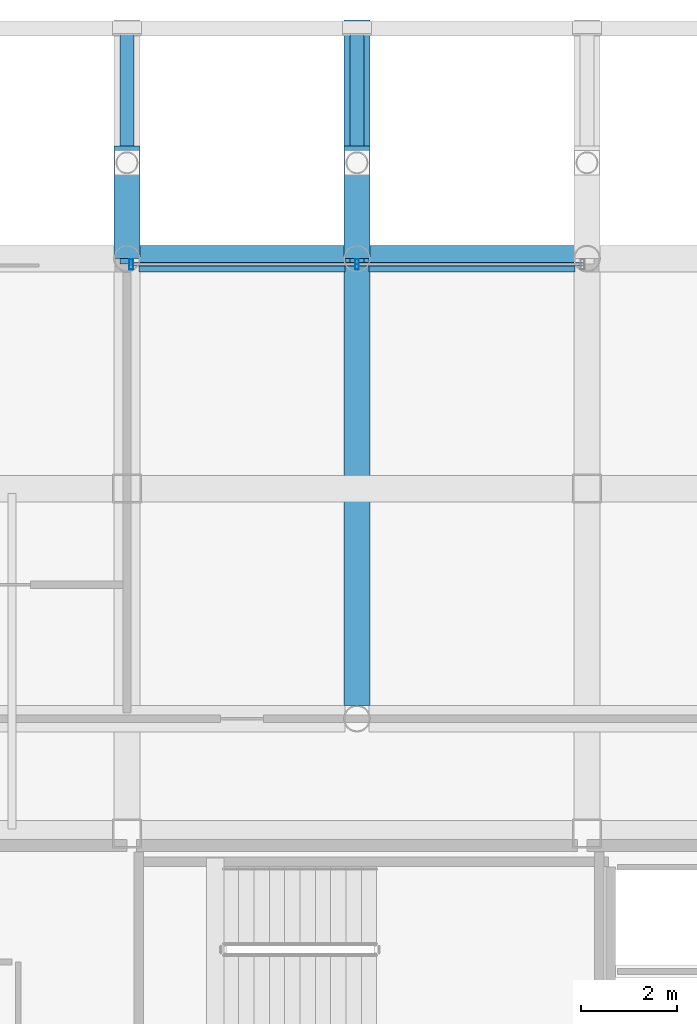
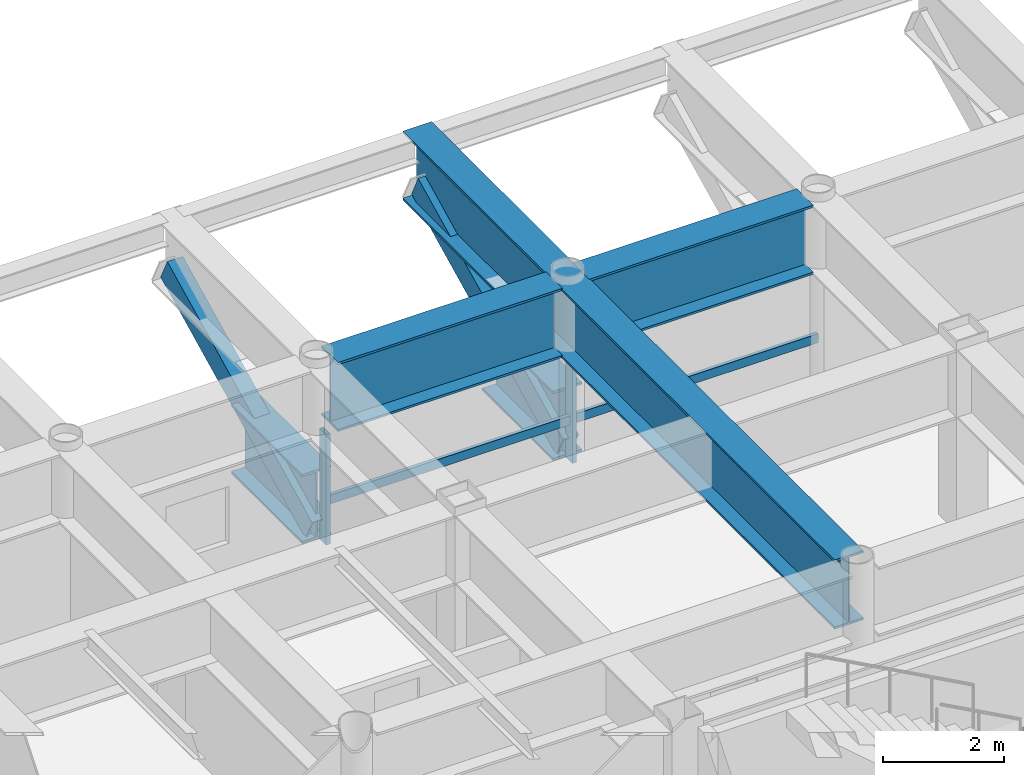
# One storey, part 14 of 24: 6 members, 5 beams, 1 element without a shape of its own.
"""IFC4 building model written with IfcOpenShell, lengths in metres."""

from ifc_helpers import new_model, si_unit, direction, frame, origin, origin_2d, place, context, subcontext, project, spatial, hollow_rectangle, i_section, extrude, material, layer, layer_set, material_profile, profile_set, type_object, element, aggregate, save


model = new_model("IFC4")

# Units and contexts
model_context = context("Model", 3, precision=1e-05, world=origin(), true_north=direction((0.0, 1.0)))
body_context = subcontext(model_context, "Body", "Model", "MODEL_VIEW")
ifc_project = project(units=[si_unit("LENGTHUNIT", "METRE"), si_unit("AREAUNIT", "SQUARE_METRE"), si_unit("VOLUMEUNIT", "CUBIC_METRE"), si_unit("PLANEANGLEUNIT", "RADIAN"), si_unit("MASSUNIT", "GRAM", prefix="KILO")], contexts=[model_context])

# Site, building, storey
site_placement = place(None, origin())
site = spatial("IfcSite", under=ifc_project, at=site_placement, CompositionType="ELEMENT")
building_placement = place(site_placement, origin())
building = spatial("IfcBuilding", under=site, at=building_placement, Name="Kallvorn Hotel Tower", CompositionType="ELEMENT")
storey_placement = place(building_placement, frame((0.0, 0.0, 218.449951171875)))
storey = spatial("IfcBuildingStorey", under=building, at=storey_placement, Name="L54", CompositionType="ELEMENT", Elevation=218.449951171875)

# Beams
ifc_material_1 = material(Name="Structural steel S355JR", Category="steel")
ifc_material_profile_1 = material_profile(ifc_material_1, i_section(OverallWidth=0.550048828125, OverallDepth=1.39990234375, WebThickness=0.02490234375, FlangeThickness=0.044921875, at=origin_2d()), Name="PG 1400x550x25x45")
ifc_profile_set_1 = profile_set([ifc_material_profile_1], Name="Structural steel S355JR")
beam_type = type_object("IfcBeamType", Name="BM_PG_1400", PredefinedType="BEAM", material=ifc_profile_set_1)
beam_1_placement = place(storey_placement, frame((-4.800048828125, 19.199951171875, 0.719970703125), z_axis=(0.0, 1.0, 0.0), x_axis=(-1.0, 0.0, 0.0)))
element("IfcBeam", 1, at=beam_1_placement, inside=storey, type_object=beam_type, Name="L55 Cantilever Haunch Corbel 05", PredefinedType="BEAM", context=body_context, shape_type="SweptSolid", body=[
    extrude(i_section(OverallWidth=0.550048828125, OverallDepth=1.39990234375, WebThickness=0.02490234375, FlangeThickness=0.044921875, at=origin_2d()), origin(), (0.0, 0.0, 1.0), 2.35009765625),
])
beam_2_placement = place(storey_placement, frame((0.0, 9.869384765625, 2.969970703125), z_axis=(0.0, 1.0, 0.0), x_axis=(-1.0, 0.0, 0.0)))
element("IfcBeam", 2, at=beam_2_placement, inside=storey, type_object=beam_type, Name="L55 Continuous Cantilever Transfer Girder 06", PredefinedType="BEAM", context=body_context, shape_type="SweptSolid", body=[
    extrude(i_section(OverallWidth=0.550048828125, OverallDepth=1.39990234375, WebThickness=0.02490234375, FlangeThickness=0.044921875, at=origin_2d()), origin(), (0.0, 0.0, 1.0), 14.310546875),
])
beam_3_placement = place(storey_placement, frame((0.0, 19.199951171875, 0.719970703125), z_axis=(0.0, 1.0, 0.0), x_axis=(-1.0, 0.0, 0.0)))
element("IfcBeam", 3, at=beam_3_placement, inside=storey, type_object=beam_type, Name="L55 Cantilever Haunch Corbel 06", PredefinedType="BEAM", context=body_context, shape_type="SweptSolid", body=[
    extrude(i_section(OverallWidth=0.550048828125, OverallDepth=1.39990234375, WebThickness=0.02490234375, FlangeThickness=0.044921875, at=origin_2d()), origin(), (0.0, 0.0, 1.0), 2.35009765625),
])
for number, where, z_axis, x_axis, name in (
    (4, (-4.54541015625, 19.199951171875, 2.969970703125), (1.0, 0.0, 0.0), (0.0, 1.0, 0.0), "L55 Primary X-Girder 79"),
    (5, (0.25439453125, 19.199951171875, 2.969970703125), (1.0, 0.0, 0.0), (0.0, 1.0, 0.0), "L55 Primary X-Girder 80"),
):
    element("IfcBeam", number, at=place(storey_placement, frame(where, z_axis=z_axis, x_axis=x_axis)), inside=storey, type_object=beam_type, Name=name, PredefinedType="BEAM", context=body_context, shape_type="SweptSolid", body=[
        extrude(i_section(OverallWidth=0.550048828125, OverallDepth=1.39990234375, WebThickness=0.02490234375, FlangeThickness=0.044921875, at=origin_2d()), origin(), (0.0, 0.0, 1.0), 4.291015625),
    ])

# Curtain wall, members
ifc_material_2 = material(Name="Thermally broken black-anodised aluminium AA 6063-T6", Category="aluminium")
ifc_layer = layer(ifc_material_2, 0.22998046875)
ifc_layer_set = layer_set([ifc_layer], Name="CW_SYS_5_HOTEL_HIGH")
curtain_wall_type = type_object("IfcCurtainWallType", Name="CW_SYS_5_HOTEL_HIGH", PredefinedType="USERDEFINED", material=ifc_layer_set)
curtain_wall_placement = place(storey_placement, origin())
curtain_wall = element("IfcCurtainWall", 6, at=curtain_wall_placement, inside=storey, type_object=curtain_wall_type, Name="L54 Dark-Glass Curtain Wall CW-L54-NC", ObjectType="UNITISED CURTAIN WALL", PredefinedType="USERDEFINED")
ifc_material_3 = material(Name="Thermally broken black-anodised aluminium AA 6063-T6", Category="aluminium")
ifc_material_profile_2 = material_profile(ifc_material_3, hollow_rectangle(XDim=0.080078125, YDim=0.219970703125, WallThickness=0.0048828125, at=origin_2d()), Name="MUL 220x80")
ifc_profile_set_2 = profile_set([ifc_material_profile_2], Name="Thermally broken black-anodised aluminium AA 6063-T6")
member_type_1 = type_object("IfcMemberType", Name="CW_MULLION_220x80", PredefinedType="MULLION", material=ifc_profile_set_2)
member_1_placement = place(storey_placement, frame((-4.7099609375, 19.080078125, 0.02001953125), z_axis=(0.0, 0.0, 1.0), x_axis=(1.0, 0.0, 0.0)))
member_1 = element("IfcMember", 7, at=member_1_placement, type_object=member_type_1, Name="CW-L54-NC Mullion 00", PredefinedType="MULLION", context=body_context, shape_type="SweptSolid", body=[
    extrude(hollow_rectangle(XDim=0.080078125, YDim=0.219970703125, WallThickness=0.0048828125, at=origin_2d()), origin(), (0.0, 0.0, 1.0), 2.22998046875),
])
member_2_placement = place(storey_placement, frame((0.0, 19.080078125, 0.02001953125), z_axis=(0.0, 0.0, 1.0), x_axis=(1.0, 0.0, 0.0)))
member_2 = element("IfcMember", 8, at=member_2_placement, type_object=member_type_1, Name="CW-L54-NC Mullion 01", PredefinedType="MULLION", context=body_context, shape_type="SweptSolid", body=[
    extrude(hollow_rectangle(XDim=0.080078125, YDim=0.219970703125, WallThickness=0.0048828125, at=origin_2d()), origin(), (0.0, 0.0, 1.0), 2.22998046875),
])
ifc_material_4 = material(Name="Thermally broken black-anodised aluminium AA 6063-T6", Category="aluminium")
ifc_material_profile_3 = material_profile(ifc_material_4, hollow_rectangle(XDim=0.070068359375, YDim=0.179931640625, WallThickness=0.00390625, at=origin_2d()), Name="TRN 180x70")
ifc_profile_set_3 = profile_set([ifc_material_profile_3], Name="Thermally broken black-anodised aluminium AA 6063-T6")
member_type_2 = type_object("IfcMemberType", Name="CW_TRANSOM_180x70", PredefinedType="USERDEFINED", material=ifc_profile_set_3)
member_3_placement = place(storey_placement, frame((-4.7099609375, 19.080078125, 0.85009765625), z_axis=(1.0, 0.0, 0.0), x_axis=(0.0, 1.0, 0.0)))
member_3 = element("IfcMember", 9, at=member_3_placement, type_object=member_type_2, Name="CW-L54-NC Transom 00M", ObjectType="TRANSOM", PredefinedType="USERDEFINED", context=body_context, shape_type="SweptSolid", body=[
    extrude(hollow_rectangle(XDim=0.070068359375, YDim=0.179931640625, WallThickness=0.00390625, at=origin_2d()), origin(), (0.0, 0.0, 1.0), 4.669921875),
])
member_4_placement = place(storey_placement, frame((0.0400390625, 19.080078125, 0.85009765625), z_axis=(1.0, 0.0, 0.0), x_axis=(0.0, 1.0, 0.0)))
member_4 = element("IfcMember", 10, at=member_4_placement, type_object=member_type_2, Name="CW-L54-NC Transom 01M", ObjectType="TRANSOM", PredefinedType="USERDEFINED", context=body_context, shape_type="SweptSolid", body=[
    extrude(hollow_rectangle(XDim=0.070068359375, YDim=0.179931640625, WallThickness=0.00390625, at=origin_2d()), origin(), (0.0, 0.0, 1.0), 4.669921875),
])
aggregate(curtain_wall, [member_1, member_2, member_3, member_4])

# Members
ifc_material_5 = material(Name="Structural steel S355J2H", Category="steel")
ifc_material_profile_4 = material_profile(ifc_material_5, hollow_rectangle(XDim=0.300048828125, YDim=0.5, WallThickness=0.02490234375, at=origin_2d()), Name="RHS 500x300x25")
ifc_profile_set_4 = profile_set([ifc_material_profile_4], Name="Structural steel S355J2H")
member_type_3 = type_object("IfcMemberType", Name="MBR_OUTRIGGER_RHS500", PredefinedType="BRACE", material=ifc_profile_set_4)
for number, where, z_axis, x_axis, name in (
    (11, (-4.800048828125, 19.199951171875, 0.25), (0.0, 0.896650696442, 0.442738668484), (-1.0, 0.0, 0.0), "L55 Exoskeleton Cantilever Raking Strut 05"),
    (12, (0.0, 19.199951171875, 0.25), (0.0, 0.896650696442, 0.442738668484), (-1.0, 0.0, 0.0), "L55 Exoskeleton Cantilever Raking Strut 06"),
):
    element("IfcMember", number, at=place(storey_placement, frame(where, z_axis=z_axis, x_axis=x_axis)), inside=storey, type_object=member_type_3, Name=name, PredefinedType="BRACE", context=body_context, shape_type="SweptSolid", body=[
        extrude(hollow_rectangle(XDim=0.300048828125, YDim=0.5, WallThickness=0.02490234375, at=origin_2d()), origin(), (0.0, 0.0, 1.0), 5.353271484375),
    ])

save(model, "model.ifc")
